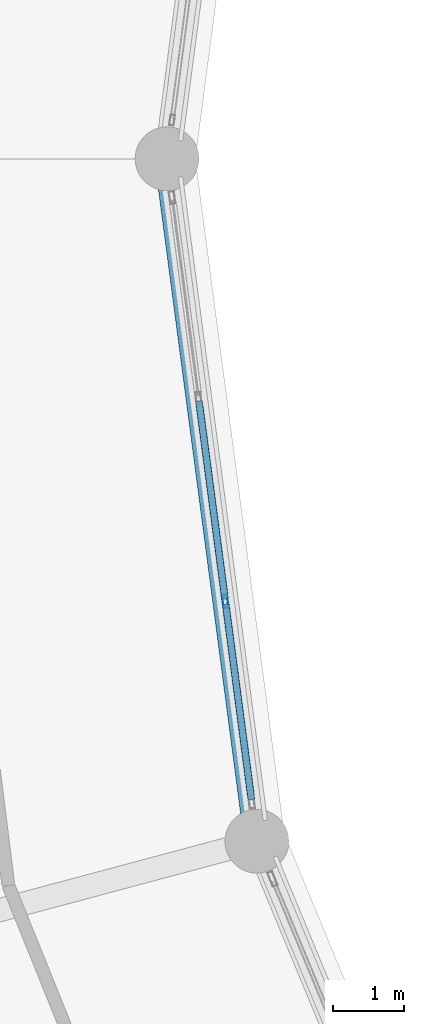
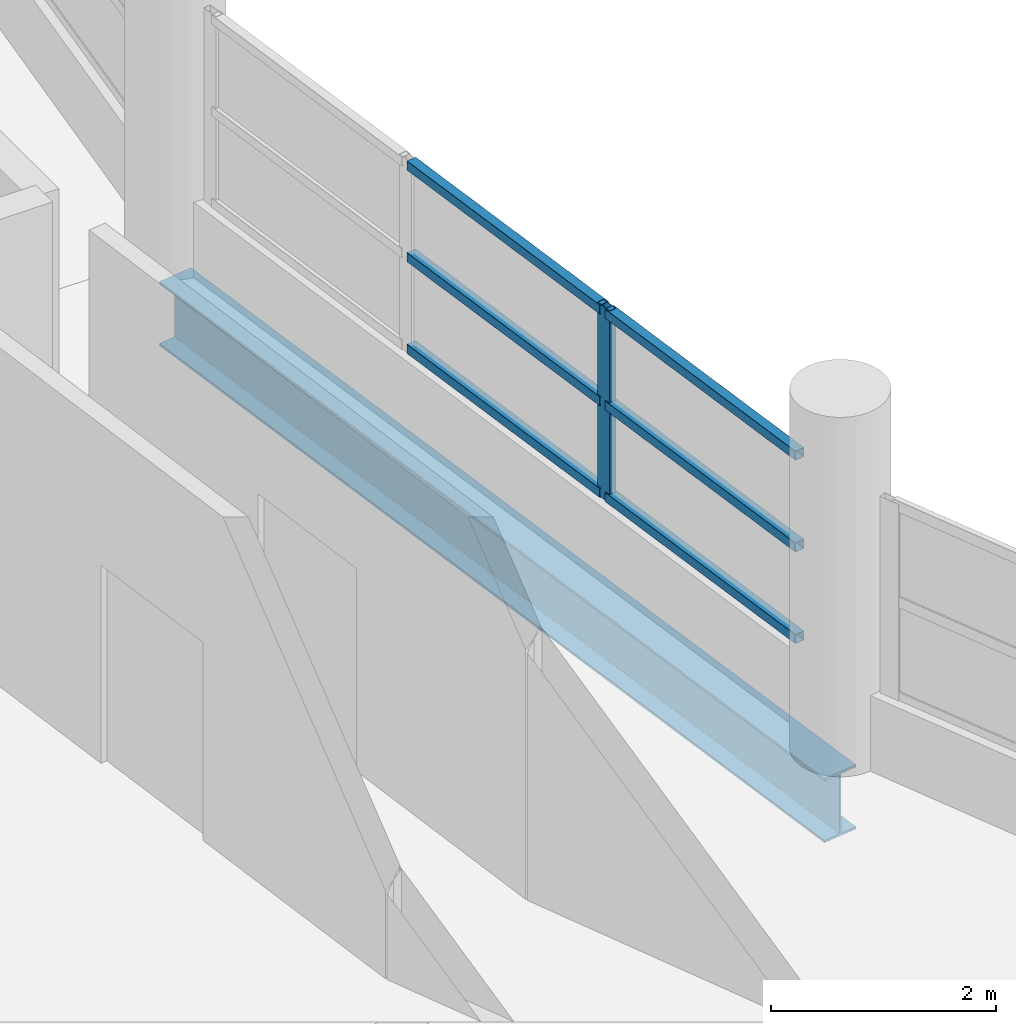
# One storey, part 17 of 53: 7 members, 1 beam, 1 element without a shape of its own.
"""IFC4 building model written with IfcOpenShell, lengths in metres."""

from ifc_helpers import new_model, si_unit, direction, frame, origin, origin_2d, place, context, subcontext, project, spatial, hollow_rectangle, i_section, extrude, material, layer, layer_set, material_profile, profile_set, type_object, element, aggregate, save


model = new_model("IFC4")

# Units and contexts
model_context = context("Model", 3, precision=1e-05, world=origin(), true_north=direction((0.0, 1.0)))
body_context = subcontext(model_context, "Body", "Model", "MODEL_VIEW")
ifc_project = project(units=[si_unit("LENGTHUNIT", "METRE"), si_unit("AREAUNIT", "SQUARE_METRE"), si_unit("VOLUMEUNIT", "CUBIC_METRE"), si_unit("PLANEANGLEUNIT", "RADIAN"), si_unit("MASSUNIT", "GRAM", prefix="KILO")], contexts=[model_context])

# Site, building, storey
site_placement = place(None, origin())
site = spatial("IfcSite", under=ifc_project, at=site_placement, CompositionType="ELEMENT")
building_placement = place(site_placement, origin())
building = spatial("IfcBuilding", under=site, at=building_placement, Name="Vespera Passage Community Centre", CompositionType="ELEMENT")
storey_placement = place(building_placement, frame((0.0, 0.0, 20.39990234375)))
storey = spatial("IfcBuildingStorey", under=building, at=storey_placement, Name="L05", CompositionType="ELEMENT", Elevation=20.39990234375)

# Beam
ifc_material_1 = material(Name="Steel ASTM A992 Grade 50", Category="steel")
ifc_material_profile_1 = material_profile(ifc_material_1, i_section(OverallWidth=0.3544921875, OverallDepth=0.695556640625, WebThickness=0.015380859375, FlangeThickness=0.024658203125, FilletRadius=0.01513671875, at=origin_2d()), Name="W27X146")
ifc_profile_set_1 = profile_set([ifc_material_profile_1], Name="Steel ASTM A992 Grade 50")
beam_type = type_object("IfcBeamType", Name="BM-SP-W27X146E", PredefinedType="SPANDREL", material=ifc_profile_set_1)
beam_placement = place(storey_placement, frame((40.800048828125, 65.5, -0.607666015625), z_axis=(0.130526697639, -0.991444794834, 0.0), x_axis=(0.991444794834, 0.130526697639, 0.0)))
element("IfcBeam", 1, at=beam_placement, inside=storey, type_object=beam_type, Name="V4 L05 Inner Spandrel 12", PredefinedType="SPANDREL", context=body_context, shape_type="SweptSolid", body=[
    extrude(i_section(OverallWidth=0.3544921875, OverallDepth=0.695556640625, WebThickness=0.015380859375, FlangeThickness=0.024658203125, FilletRadius=0.01513671875, at=origin_2d()), origin(), (0.0, 0.0, 1.0), 9.711181640625),
])

# Curtain wall, members
ifc_material_2 = material(Name="Anodized aluminium 6063-T6", Category="aluminium")
ifc_layer = layer(ifc_material_2, 0.159912109375)
ifc_layer_set = layer_set([ifc_layer], Name="Anodized aluminium 6063-T6")
curtain_wall_type = type_object("IfcCurtainWallType", Name="CW-64E", PredefinedType="NOTDEFINED", material=ifc_layer_set)
curtain_wall_placement = place(storey_placement, origin())
curtain_wall = element("IfcCurtainWall", 2, at=curtain_wall_placement, inside=storey, type_object=curtain_wall_type, Name="V4 L05 Inner Court Curtain Wall 12", PredefinedType="NOTDEFINED")
ifc_material_3 = material(Name="Anodized aluminium 6063-T6", Category="aluminium")
ifc_material_profile_2 = material_profile(ifc_material_3, hollow_rectangle(XDim=0.074951171875, YDim=0.179931640625, WallThickness=0.0048828125, InnerFilletRadius=0.00244140625, OuterFilletRadius=0.0048828125, at=origin_2d()), Name="ALU180X75X5")
ifc_profile_set_2 = profile_set([ifc_material_profile_2], Name="Anodized aluminium 6063-T6")
member_type_1 = type_object("IfcMemberType", Name="MB-CWM-180E", PredefinedType="MULLION", material=ifc_profile_set_2)
member_1_placement = place(storey_placement, frame((41.62255859375, 59.25244140625, 0.820068359375), z_axis=(0.0, 0.0, 1.0), x_axis=(0.991445387728, 0.1305221941, 0.0)))
member_1 = element("IfcMember", 3, at=member_1_placement, type_object=member_type_1, Name="CW-64E mullion 3", PredefinedType="MULLION", context=body_context, shape_type="SweptSolid", body=[
    extrude(hollow_rectangle(XDim=0.074951171875, YDim=0.179931640625, WallThickness=0.0048828125, InnerFilletRadius=0.00244140625, OuterFilletRadius=0.0048828125, at=origin_2d()), origin(), (0.0, 0.0, 1.0), 2.08935546875),
])
ifc_material_4 = material(Name="Anodized aluminium 6063-T6", Category="aluminium")
ifc_material_profile_3 = material_profile(ifc_material_4, hollow_rectangle(XDim=0.10009765625, YDim=0.10009765625, WallThickness=0.00390625, InnerFilletRadius=0.001953125, OuterFilletRadius=0.00390625, at=origin_2d()), Name="ALU100X100X4")
ifc_profile_set_3 = profile_set([ifc_material_profile_3], Name="Anodized aluminium 6063-T6")
member_type_2 = type_object("IfcMemberType", Name="MB-CWT-100E", PredefinedType="USERDEFINED", material=ifc_profile_set_3)
member_2_placement = place(storey_placement, frame((41.25, 62.082275390625, 0.8701171875), z_axis=(0.130528499327, -0.991444557635, 0.0), x_axis=(0.991444557635, 0.130528499327, 0.0)))
member_2 = element("IfcMember", 4, at=member_2_placement, type_object=member_type_2, Name="CW-64E transom 2.1", ObjectType="TRANSOM", PredefinedType="USERDEFINED", context=body_context, shape_type="SweptSolid", body=[
    extrude(hollow_rectangle(XDim=0.10009765625, YDim=0.10009765625, WallThickness=0.00390625, InnerFilletRadius=0.001953125, OuterFilletRadius=0.00390625, at=origin_2d()), origin(), (0.0, 0.0, 1.0), 2.81689453125),
])
member_3_placement = place(storey_placement, frame((41.25, 62.082275390625, 1.86474609375), z_axis=(0.130528499327, -0.991444557635, 0.0), x_axis=(0.991444557635, 0.130528499327, 0.0)))
member_3 = element("IfcMember", 5, at=member_3_placement, type_object=member_type_2, Name="CW-64E transom 2.2", ObjectType="TRANSOM", PredefinedType="USERDEFINED", context=body_context, shape_type="SweptSolid", body=[
    extrude(hollow_rectangle(XDim=0.10009765625, YDim=0.10009765625, WallThickness=0.00390625, InnerFilletRadius=0.001953125, OuterFilletRadius=0.00390625, at=origin_2d()), origin(), (0.0, 0.0, 1.0), 2.81689453125),
])
member_4_placement = place(storey_placement, frame((41.25, 62.082275390625, 2.859619140625), z_axis=(0.130528499327, -0.991444557635, 0.0), x_axis=(0.991444557635, 0.130528499327, 0.0)))
member_4 = element("IfcMember", 6, at=member_4_placement, type_object=member_type_2, Name="CW-64E transom 2.3", ObjectType="TRANSOM", PredefinedType="USERDEFINED", context=body_context, shape_type="SweptSolid", body=[
    extrude(hollow_rectangle(XDim=0.10009765625, YDim=0.10009765625, WallThickness=0.00390625, InnerFilletRadius=0.001953125, OuterFilletRadius=0.00390625, at=origin_2d()), origin(), (0.0, 0.0, 1.0), 2.81689453125),
])
member_5_placement = place(storey_placement, frame((41.62744140625, 59.215087890625, 0.8701171875), z_axis=(0.130529495678, -0.99144442646, 0.0), x_axis=(0.99144442646, 0.130529495678, 0.0)))
member_5 = element("IfcMember", 7, at=member_5_placement, type_object=member_type_2, Name="CW-64E transom 3.1", ObjectType="TRANSOM", PredefinedType="USERDEFINED", context=body_context, shape_type="SweptSolid", body=[
    extrude(hollow_rectangle(XDim=0.10009765625, YDim=0.10009765625, WallThickness=0.00390625, InnerFilletRadius=0.001953125, OuterFilletRadius=0.00390625, at=origin_2d()), origin(), (0.0, 0.0, 1.0), 2.779296875),
])
member_6_placement = place(storey_placement, frame((41.62744140625, 59.215087890625, 1.86474609375), z_axis=(0.130529495678, -0.99144442646, 0.0), x_axis=(0.99144442646, 0.130529495678, 0.0)))
member_6 = element("IfcMember", 8, at=member_6_placement, type_object=member_type_2, Name="CW-64E transom 3.2", ObjectType="TRANSOM", PredefinedType="USERDEFINED", context=body_context, shape_type="SweptSolid", body=[
    extrude(hollow_rectangle(XDim=0.10009765625, YDim=0.10009765625, WallThickness=0.00390625, InnerFilletRadius=0.001953125, OuterFilletRadius=0.00390625, at=origin_2d()), origin(), (0.0, 0.0, 1.0), 2.779296875),
])
member_7_placement = place(storey_placement, frame((41.62744140625, 59.215087890625, 2.859619140625), z_axis=(0.130529495678, -0.99144442646, 0.0), x_axis=(0.99144442646, 0.130529495678, 0.0)))
member_7 = element("IfcMember", 9, at=member_7_placement, type_object=member_type_2, Name="CW-64E transom 3.3", ObjectType="TRANSOM", PredefinedType="USERDEFINED", context=body_context, shape_type="SweptSolid", body=[
    extrude(hollow_rectangle(XDim=0.10009765625, YDim=0.10009765625, WallThickness=0.00390625, InnerFilletRadius=0.001953125, OuterFilletRadius=0.00390625, at=origin_2d()), origin(), (0.0, 0.0, 1.0), 2.779296875),
])
aggregate(curtain_wall, [member_1, member_2, member_3, member_4, member_5, member_6, member_7])

save(model, "model.ifc")
